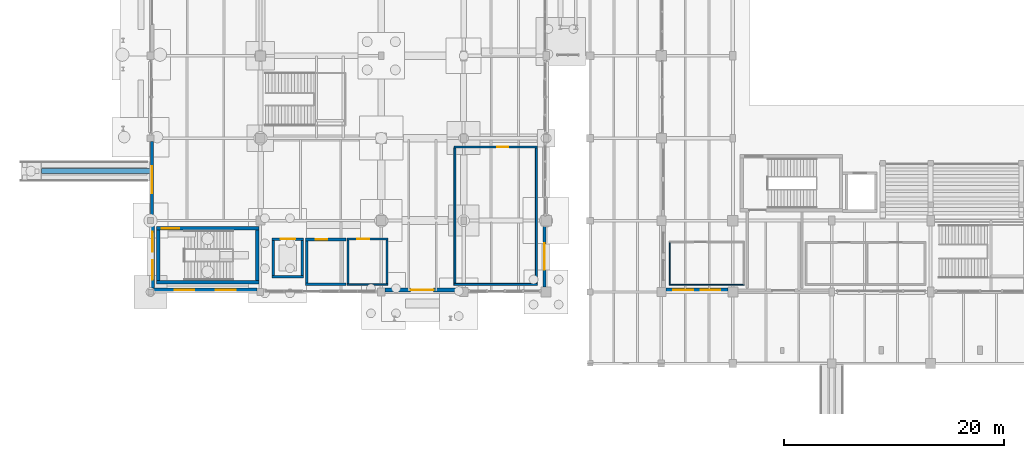
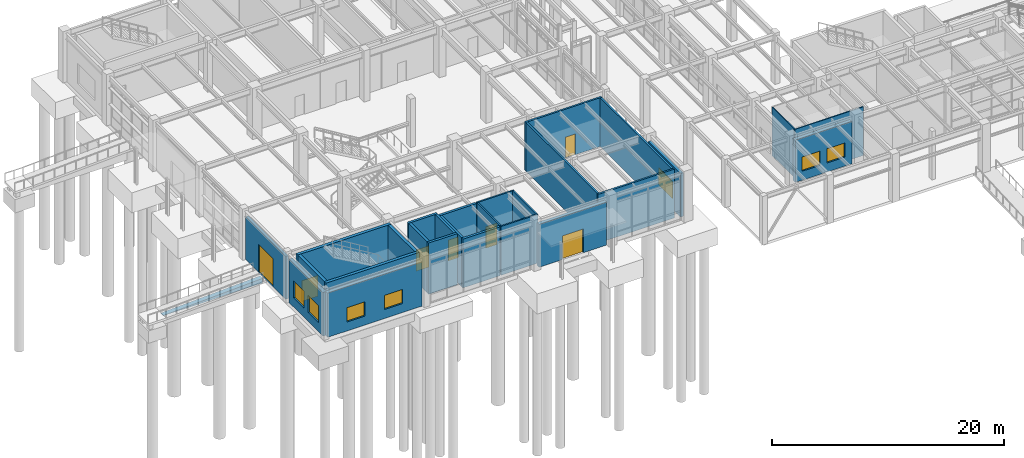
# One storey, part 171 of 203: 28 walls, 7 doors, 7 windows, 14 openings.
"""IFC4 building model written with IfcOpenShell, lengths in metres."""

from ifc_helpers import new_model, si_unit, direction, frame, frame_2d, origin, place, context, subcontext, project, spatial, polyline, rectangle, outline, extrude, material, layer, layer_set, type_object, element, fill, save


model = new_model("IFC4")

# Units and contexts
model_context = context("Model", 3, precision=1e-05, world=origin(), true_north=direction((0.0, 1.0)))
body_context = subcontext(model_context, "Body", "Model", "MODEL_VIEW")
ifc_project = project(units=[si_unit("LENGTHUNIT", "METRE"), si_unit("AREAUNIT", "SQUARE_METRE"), si_unit("VOLUMEUNIT", "CUBIC_METRE"), si_unit("PLANEANGLEUNIT", "RADIAN"), si_unit("MASSUNIT", "GRAM", prefix="KILO"), si_unit("THERMODYNAMICTEMPERATUREUNIT", "KELVIN"), si_unit("POWERUNIT", "WATT")], contexts=[model_context])

# Site, building, storey
site_placement = place(None, origin())
site = spatial("IfcSite", under=ifc_project, at=site_placement, CompositionType="ELEMENT")
building_placement = place(site_placement, origin())
building = spatial("IfcBuilding", under=site, at=building_placement, Name="Tepalcoro Natatorium and Aquatics Centre", CompositionType="ELEMENT")
storey_placement = place(building_placement, origin())
storey = spatial("IfcBuildingStorey", under=building, at=storey_placement, Name="L00", CompositionType="ELEMENT", Elevation=0.0)

# Wall, opening, door
ifc_material_1 = material(Name="Precast Concrete C45/55 (fc 45 MPa)", Category="concrete")
ifc_layer_1 = layer(ifc_material_1, 0.260009765625)
ifc_layer_set_1 = layer_set([ifc_layer_1], Name="Precast Concrete C45/55 (fc 45 MPa)")
wall_type_1 = type_object("IfcWallType", Name="WL_EXT_GABLE_260", PredefinedType="SOLIDWALL", material=ifc_layer_set_1)
wall_1_placement = place(storey_placement, frame((0.1298828125, 13.279052734375, 0.0), z_axis=(0.0, 0.0, 1.0), x_axis=(0.0, 1.0, 0.0)))
wall_1 = element("IfcWall", 1, at=wall_1_placement, inside=storey, type_object=wall_type_1, Name="V3 L00 W Volcanic Basalt Envelope Wall", PredefinedType="SOLIDWALL", context=body_context, shape_type="SweptSolid", body=[
    extrude(rectangle(XDim=6.9169921875, YDim=0.260009765625, at=frame_2d((3.45849609375, 0.0))), origin(), (0.0, 0.0, 1.0), 4.51806640625),
])
opening_1_placement = place(wall_1_placement, frame((2.2333984375, 0.0, 0.0)))
opening_1 = element("IfcOpeningElement", 2, at=opening_1_placement, cuts=wall_1, Name="Opening ED5026", PredefinedType="OPENING", context=body_context, shape_type="SweptSolid", body=[
    extrude(rectangle(XDim=2.449951171875, YDim=2.949951171875, at=frame_2d((1.22509765625, 1.47509765625))), frame((0.0, 0.14208984375, 0.0), z_axis=(0.0, -1.0, 0.0), x_axis=(1.0, 0.0, 0.0)), (0.0, 0.0, 1.0), 0.283935546875),
])
ifc_material_2 = material(Name="Bronze-Anodised Extruded Aluminium Alloy EN AW-6063 T6", Category="aluminium")
door_type_1 = type_object("IfcDoorType", Name="DR_245x300_FOYER", OperationType="NOTDEFINED", PredefinedType="DOOR", material=ifc_material_2)
door_1_placement = place(opening_1_placement, origin())
door_1 = element("IfcDoor", 3, at=door_1_placement, inside=storey, type_object=door_type_1, Name="Grand West Civic Entrance Portal", OperationType="DOUBLE_DOOR_SINGLE_SWING", OverallHeight=2.949951171875, OverallWidth=2.449951171875, PredefinedType="DOOR", context=body_context, shape_type="SweptSolid", body=[
    extrude(rectangle(XDim=2.449951171875, YDim=2.949951171875, at=frame_2d((1.22509765625, 1.47509765625))), frame((0.0, 0.02490234375, 0.0), z_axis=(0.0, -1.0, 0.0), x_axis=(1.0, 0.0, 0.0)), (0.0, 0.0, 1.0), 0.050048828125),
])
fill(opening_1, door_1)

# Wall, opening, window
ifc_layer_2 = layer(ifc_material_1, 0.284912109375)
ifc_layer_set_2 = layer_set([ifc_layer_2], Name="Precast Concrete C45/55 (fc 45 MPa)")
wall_type_2 = type_object("IfcWallType", Name="WL_EXT_INSUL_280", PredefinedType="SOLIDWALL", material=ifc_layer_set_2)
wall_2_placement = place(storey_placement, frame((35.857421875, 6.9541015625, 0.0), z_axis=(0.0, 0.0, 1.0), x_axis=(0.0, 1.0, 0.0)))
wall_2 = element("IfcWall", 4, at=wall_2_placement, inside=storey, type_object=wall_type_2, Name="V3 L00 E Volcanic Basalt Envelope Wall", PredefinedType="SOLIDWALL", context=body_context, shape_type="SweptSolid", body=[
    extrude(rectangle(XDim=5.56689453125, YDim=0.284912109375, at=frame_2d((2.783447265625, 0.0))), origin(), (0.0, 0.0, 1.0), 4.593994140625),
])
opening_2_placement = place(wall_2_placement, frame((1.58349609375, 0.0, 0.949951171875)))
opening_2 = element("IfcOpeningElement", 5, at=opening_2_placement, cuts=wall_2, Name="Opening W0059", PredefinedType="OPENING", context=body_context, shape_type="SweptSolid", body=[
    extrude(rectangle(XDim=2.39990234375, YDim=1.800048828125, at=frame_2d((1.199951171875, 0.89990234375))), frame((0.0, 0.154296875, 0.0), z_axis=(0.0, -1.0, 0.0), x_axis=(1.0, 0.0, 0.0)), (0.0, 0.0, 1.0), 0.308837890625),
])
ifc_material_3 = material(Name="Solar-Control Bronze Tempered Low-E Double Glazing", Category="glass")
window_type_1 = type_object("IfcWindowType", Name="WN_240x180", PartitioningType="SINGLE_PANEL", PredefinedType="WINDOW", material=ifc_material_3)
window_1_placement = place(opening_2_placement, origin())
window_1 = element("IfcWindow", 6, at=window_1_placement, inside=storey, type_object=window_type_1, Name="Exterior Thermal Window WN_240x180", OverallHeight=1.800048828125, OverallWidth=2.39990234375, PartitioningType="SINGLE_PANEL", PredefinedType="WINDOW", context=body_context, shape_type="SweptSolid", body=[
    extrude(rectangle(XDim=2.39990234375, YDim=1.800048828125, at=frame_2d((1.199951171875, 0.89990234375))), frame((0.0, 0.030029296875, 0.0), z_axis=(0.0, -1.0, 0.0), x_axis=(1.0, 0.0, 0.0)), (0.0, 0.0, 1.0), 0.06005859375),
])
fill(opening_2, window_1)

# Wall, openings, windows
ifc_material_4 = material(Name="Volcanic Recinto Basalt Ashlar Masonry", Category="masonry")
ifc_layer_3 = layer(ifc_material_4, 0.360107421875)
ifc_layer_set_3 = layer_set([ifc_layer_3], Name="Volcanic Recinto Basalt Ashlar Masonry")
wall_type_3 = type_object("IfcWallType", Name="WL_EXT_STONE_350", PredefinedType="SOLIDWALL", material=ifc_layer_set_3)
wall_3_placement = place(storey_placement, frame((46.904052734375, 6.679931640625, 0.0), z_axis=(0.0, 0.0, 1.0), x_axis=(1.0, 0.0, 0.0)))
wall_3 = element("IfcWall", 7, at=wall_3_placement, inside=storey, type_object=wall_type_3, Name="V1 L00 S Volcanic Basalt Envelope Wall", PredefinedType="SOLIDWALL", context=body_context, shape_type="SweptSolid", body=[
    extrude(rectangle(XDim=5.641845703125, YDim=0.360107421875, at=frame_2d((2.82080078125, 0.0))), origin(), (0.0, 0.0, 1.0), 4.462890625),
])
opening_3_placement = place(wall_3_placement, frame((0.6806640625, 0.0, 0.949951171875)))
opening_3 = element("IfcOpeningElement", 8, at=opening_3_placement, cuts=wall_3, Name="Opening W0001A", PredefinedType="OPENING", context=body_context, shape_type="SweptSolid", body=[
    extrude(rectangle(XDim=1.800048828125, YDim=1.5, at=frame_2d((0.89990234375, 0.75))), frame((0.0, 0.19189453125, 0.0), z_axis=(0.0, -1.0, 0.0), x_axis=(1.0, 0.0, 0.0)), (0.0, 0.0, 1.0), 0.384033203125),
])
opening_4_placement = place(wall_3_placement, frame((3.161376953125, 0.0, 0.949951171875)))
opening_4 = element("IfcOpeningElement", 9, at=opening_4_placement, cuts=wall_3, Name="Opening W0001B", PredefinedType="OPENING", context=body_context, shape_type="SweptSolid", body=[
    extrude(rectangle(XDim=1.800048828125, YDim=1.5, at=frame_2d((0.89990234375, 0.75))), frame((0.0, 0.19189453125, 0.0), z_axis=(0.0, -1.0, 0.0), x_axis=(1.0, 0.0, 0.0)), (0.0, 0.0, 1.0), 0.384033203125),
])
window_type_2 = type_object("IfcWindowType", Name="WN_180x150", PartitioningType="SINGLE_PANEL", PredefinedType="WINDOW", material=ifc_material_3)
window_2_placement = place(opening_3_placement, origin())
window_2 = element("IfcWindow", 10, at=window_2_placement, inside=storey, type_object=window_type_2, Name="Exterior Thermal Window WN_180x150", OverallHeight=1.5, OverallWidth=1.800048828125, PartitioningType="SINGLE_PANEL", PredefinedType="WINDOW", context=body_context, shape_type="SweptSolid", body=[
    extrude(rectangle(XDim=1.800048828125, YDim=1.5, at=frame_2d((0.89990234375, 0.75))), frame((0.0, 0.030029296875, 0.0), z_axis=(0.0, -1.0, 0.0), x_axis=(1.0, 0.0, 0.0)), (0.0, 0.0, 1.0), 0.06005859375),
])
fill(opening_3, window_2)
window_3_placement = place(opening_4_placement, origin())
window_3 = element("IfcWindow", 11, at=window_3_placement, inside=storey, type_object=window_type_2, Name="Exterior Thermal Window WN_180x150", OverallHeight=1.5, OverallWidth=1.800048828125, PartitioningType="SINGLE_PANEL", PredefinedType="WINDOW", context=body_context, shape_type="SweptSolid", body=[
    extrude(rectangle(XDim=1.800048828125, YDim=1.5, at=frame_2d((0.89990234375, 0.75))), frame((0.0, 0.030029296875, 0.0), z_axis=(0.0, -1.0, 0.0), x_axis=(1.0, 0.0, 0.0)), (0.0, 0.0, 1.0), 0.06005859375),
])
fill(opening_4, window_3)

wall_4_placement = place(storey_placement, frame((0.25390625, 6.679931640625, 0.0), z_axis=(0.0, 0.0, 1.0), x_axis=(1.0, 0.0, 0.0)))
wall_4 = element("IfcWall", 12, at=wall_4_placement, inside=storey, type_object=wall_type_3, Name="V3 L00 S Volcanic Basalt Envelope Wall", PredefinedType="SOLIDWALL", context=body_context, shape_type="SweptSolid", body=[
    extrude(rectangle(XDim=9.442138671875, YDim=0.360107421875, at=frame_2d((4.72119140625, 0.0))), origin(), (0.0, 0.0, 1.0), 4.669921875),
])
opening_5_placement = place(wall_4_placement, frame((1.947265625, 0.0, 0.949951171875)))
opening_5 = element("IfcOpeningElement", 13, at=opening_5_placement, cuts=wall_4, Name="Opening W0054A", PredefinedType="OPENING", context=body_context, shape_type="SweptSolid", body=[
    extrude(rectangle(XDim=1.800048828125, YDim=1.5, at=frame_2d((0.89990234375, 0.75))), frame((0.0, 0.19189453125, 0.0), z_axis=(0.0, -1.0, 0.0), x_axis=(1.0, 0.0, 0.0)), (0.0, 0.0, 1.0), 0.384033203125),
])
opening_6_placement = place(wall_4_placement, frame((5.694580078125, 0.0, 0.949951171875)))
opening_6 = element("IfcOpeningElement", 14, at=opening_6_placement, cuts=wall_4, Name="Opening W0054B", PredefinedType="OPENING", context=body_context, shape_type="SweptSolid", body=[
    extrude(rectangle(XDim=1.800048828125, YDim=1.5, at=frame_2d((0.89990234375, 0.75))), frame((0.0, 0.19189453125, 0.0), z_axis=(0.0, -1.0, 0.0), x_axis=(1.0, 0.0, 0.0)), (0.0, 0.0, 1.0), 0.384033203125),
])
window_4_placement = place(opening_5_placement, origin())
window_4 = element("IfcWindow", 15, at=window_4_placement, inside=storey, type_object=window_type_2, Name="Exterior Thermal Window WN_180x150", OverallHeight=1.5, OverallWidth=1.800048828125, PartitioningType="SINGLE_PANEL", PredefinedType="WINDOW", context=body_context, shape_type="SweptSolid", body=[
    extrude(rectangle(XDim=1.800048828125, YDim=1.5, at=frame_2d((0.89990234375, 0.75))), frame((0.0, 0.030029296875, 0.0), z_axis=(0.0, -1.0, 0.0), x_axis=(1.0, 0.0, 0.0)), (0.0, 0.0, 1.0), 0.06005859375),
])
fill(opening_5, window_4)
window_5_placement = place(opening_6_placement, origin())
window_5 = element("IfcWindow", 16, at=window_5_placement, inside=storey, type_object=window_type_2, Name="Exterior Thermal Window WN_180x150", OverallHeight=1.5, OverallWidth=1.800048828125, PartitioningType="SINGLE_PANEL", PredefinedType="WINDOW", context=body_context, shape_type="SweptSolid", body=[
    extrude(rectangle(XDim=1.800048828125, YDim=1.5, at=frame_2d((0.89990234375, 0.75))), frame((0.0, 0.030029296875, 0.0), z_axis=(0.0, -1.0, 0.0), x_axis=(1.0, 0.0, 0.0)), (0.0, 0.0, 1.0), 0.06005859375),
])
fill(opening_6, window_5)

# Wall, opening, door
wall_5_placement = place(storey_placement, frame((21.35400390625, 6.679931640625, 0.0), z_axis=(0.0, 0.0, 1.0), x_axis=(1.0, 0.0, 0.0)))
wall_5 = element("IfcWall", 17, at=wall_5_placement, inside=storey, type_object=wall_type_3, Name="V3 L00 S Volcanic Basalt Envelope Wall", PredefinedType="SOLIDWALL", context=body_context, shape_type="SweptSolid", body=[
    extrude(rectangle(XDim=6.741943359375, YDim=0.360107421875, at=frame_2d((3.37109375, 0.0))), origin(), (0.0, 0.0, 1.0), 4.51806640625),
])
opening_7_placement = place(wall_5_placement, frame((2.321044921875, 0.0, 0.0)))
opening_7 = element("IfcOpeningElement", 18, at=opening_7_placement, cuts=wall_5, Name="Opening ED5025", PredefinedType="OPENING", context=body_context, shape_type="SweptSolid", body=[
    extrude(rectangle(XDim=2.10009765625, YDim=2.5, at=frame_2d((1.050048828125, 1.25))), frame((0.0, 0.19189453125, 0.0), z_axis=(0.0, -1.0, 0.0), x_axis=(1.0, 0.0, 0.0)), (0.0, 0.0, 1.0), 0.384033203125),
])
door_type_2 = type_object("IfcDoorType", Name="DR_210x250_EXT", OperationType="NOTDEFINED", PredefinedType="DOOR", material=ifc_material_2)
door_2_placement = place(opening_7_placement, frame((2.10009765625, 0.0, 0.0), z_axis=(0.0, 0.0, 1.0), x_axis=(-1.0, 0.0, 0.0)))
door_2 = element("IfcDoor", 19, at=door_2_placement, inside=storey, type_object=door_type_2, Name="V3 South Plaza Portal", OperationType="DOUBLE_DOOR_SINGLE_SWING", OverallHeight=2.5, OverallWidth=2.10009765625, PredefinedType="DOOR", context=body_context, shape_type="SweptSolid", body=[
    extrude(rectangle(XDim=2.10009765625, YDim=2.5, at=frame_2d((1.050048828125, 1.25))), frame((0.0, 0.02490234375, 0.0), z_axis=(0.0, -1.0, 0.0), x_axis=(1.0, 0.0, 0.0)), (0.0, 0.0, 1.0), 0.050048828125),
])
fill(opening_7, door_2)

# Wall, openings, windows
wall_6_placement = place(storey_placement, frame((0.179931640625, 6.864013671875, 0.0), z_axis=(0.0, 0.0, 1.0), x_axis=(0.0, 1.0, 0.0)))
wall_6 = element("IfcWall", 20, at=wall_6_placement, inside=storey, type_object=wall_type_3, Name="V3 L00 W Volcanic Basalt Envelope Wall", PredefinedType="SOLIDWALL", context=body_context, shape_type="SweptSolid", body=[
    extrude(rectangle(XDim=5.85693359375, YDim=0.360107421875, at=frame_2d((2.928466796875, 0.0))), origin(), (0.0, 0.0, 1.0), 4.593994140625),
])
opening_8_placement = place(wall_6_placement, frame((0.752197265625, 0.0, 0.949951171875)))
opening_8 = element("IfcOpeningElement", 21, at=opening_8_placement, cuts=wall_6, Name="Opening W0057A", PredefinedType="OPENING", context=body_context, shape_type="SweptSolid", body=[
    extrude(rectangle(XDim=1.800048828125, YDim=1.800048828125, at=frame_2d((0.89990234375, 0.89990234375))), frame((0.0, 0.19189453125, 0.0), z_axis=(0.0, -1.0, 0.0), x_axis=(1.0, 0.0, 0.0)), (0.0, 0.0, 1.0), 0.384033203125),
])
opening_9_placement = place(wall_6_placement, frame((3.3046875, 0.0, 0.949951171875)))
opening_9 = element("IfcOpeningElement", 22, at=opening_9_placement, cuts=wall_6, Name="Opening W0057B", PredefinedType="OPENING", context=body_context, shape_type="SweptSolid", body=[
    extrude(rectangle(XDim=1.800048828125, YDim=1.800048828125, at=frame_2d((0.89990234375, 0.89990234375))), frame((0.0, 0.19189453125, 0.0), z_axis=(0.0, -1.0, 0.0), x_axis=(1.0, 0.0, 0.0)), (0.0, 0.0, 1.0), 0.384033203125),
])
window_type_3 = type_object("IfcWindowType", Name="WN_180x180", PartitioningType="SINGLE_PANEL", PredefinedType="WINDOW", material=ifc_material_3)
window_6_placement = place(opening_8_placement, origin())
window_6 = element("IfcWindow", 23, at=window_6_placement, inside=storey, type_object=window_type_3, Name="Exterior Thermal Window WN_180x180", OverallHeight=1.800048828125, OverallWidth=1.800048828125, PartitioningType="SINGLE_PANEL", PredefinedType="WINDOW", context=body_context, shape_type="SweptSolid", body=[
    extrude(rectangle(XDim=1.800048828125, YDim=1.800048828125, at=frame_2d((0.89990234375, 0.89990234375))), frame((0.0, 0.030029296875, 0.0), z_axis=(0.0, -1.0, 0.0), x_axis=(1.0, 0.0, 0.0)), (0.0, 0.0, 1.0), 0.06005859375),
])
fill(opening_8, window_6)
window_7_placement = place(opening_9_placement, origin())
window_7 = element("IfcWindow", 24, at=window_7_placement, inside=storey, type_object=window_type_3, Name="Exterior Thermal Window WN_180x180", OverallHeight=1.800048828125, OverallWidth=1.800048828125, PartitioningType="SINGLE_PANEL", PredefinedType="WINDOW", context=body_context, shape_type="SweptSolid", body=[
    extrude(rectangle(XDim=1.800048828125, YDim=1.800048828125, at=frame_2d((0.89990234375, 0.89990234375))), frame((0.0, 0.030029296875, 0.0), z_axis=(0.0, -1.0, 0.0), x_axis=(1.0, 0.0, 0.0)), (0.0, 0.0, 1.0), 0.06005859375),
])
fill(opening_9, window_7)

# Walls
ifc_material_5 = material(Name="Moisture-Resistant Acoustic Gypsum Drywall on Cold-Formed Metal Studs")
ifc_layer_4 = layer(ifc_material_5, 0.10009765625)
ifc_layer_set_4 = layer_set([ifc_layer_4], Name="Moisture-Resistant Acoustic Gypsum Drywall on Cold-Formed Metal Studs")
wall_type_4 = type_object("IfcWallType", Name="WL_PART_100", PredefinedType="PARTITIONING", material=ifc_layer_set_4)
wall_7_placement = place(storey_placement, frame((47.199951171875, 7.14990234375, 0.0), z_axis=(0.0, 0.0, 1.0), x_axis=(1.0, 0.0, 0.0)))
element("IfcWall", 25, at=wall_7_placement, inside=storey, type_object=wall_type_4, Name="World Aquatics Swimmer Call Room & Ready Suite Partition S", PredefinedType="PARTITIONING", context=body_context, shape_type="SweptSolid", body=[
    extrude(rectangle(XDim=6.85009765625, YDim=0.10009765625, at=frame_2d((3.425048828125, 0.0))), origin(), (0.0, 0.0, 1.0), 5.125),
])
wall_8_placement = place(storey_placement, frame((47.25, 7.199951171875, 0.0), z_axis=(0.0, 0.0, 1.0), x_axis=(0.0, 1.0, 0.0)))
element("IfcWall", 26, at=wall_8_placement, inside=storey, type_object=wall_type_4, Name="World Aquatics Swimmer Call Room & Ready Suite Partition W", PredefinedType="PARTITIONING", context=body_context, shape_type="SweptSolid", body=[
    extrude(rectangle(XDim=3.800048828125, YDim=0.10009765625, at=frame_2d((1.89990234375, 0.0))), origin(), (0.0, 0.0, 1.0), 5.125),
])
ifc_layer_5 = layer(ifc_material_5, 0.14990234375)
ifc_layer_set_5 = layer_set([ifc_layer_5], Name="Moisture-Resistant Acoustic Gypsum Drywall on Cold-Formed Metal Studs")
wall_type_5 = type_object("IfcWallType", Name="WL_PART_150_AC", PredefinedType="PARTITIONING", material=ifc_layer_set_5)
wall_9_placement = place(storey_placement, frame((17.89990234375, 7.175048828125, 0.0), z_axis=(0.0, 0.0, 1.0), x_axis=(1.0, 0.0, 0.0)))
element("IfcWall", 27, at=wall_9_placement, inside=storey, type_object=wall_type_5, Name="Civic Box Office, Accreditation & Reception Partition S", PredefinedType="PARTITIONING", context=body_context, shape_type="SweptSolid", body=[
    extrude(rectangle(XDim=3.7001953125, YDim=0.14990234375, at=frame_2d((1.85009765625, 0.0))), origin(), (0.0, 0.0, 1.0), 5.14501953125),
])

# Wall, opening, door
wall_10_placement = place(storey_placement, frame((17.89990234375, 11.324951171875, 0.0), z_axis=(0.0, 0.0, 1.0), x_axis=(1.0, 0.0, 0.0)))
wall_10 = element("IfcWall", 28, at=wall_10_placement, inside=storey, type_object=wall_type_5, Name="Civic Box Office, Accreditation & Reception Partition N", PredefinedType="PARTITIONING", context=body_context, shape_type="SweptSolid", body=[
    extrude(rectangle(XDim=3.7001953125, YDim=0.14990234375, at=frame_2d((1.85009765625, 0.0))), origin(), (0.0, 0.0, 1.0), 5.14501953125),
])
opening_10_placement = place(wall_10_placement, frame((0.925048828125, 0.0, 0.0)))
opening_10 = element("IfcOpeningElement", 29, at=opening_10_placement, cuts=wall_10, Name="Opening D0091", PredefinedType="OPENING", context=body_context, shape_type="SweptSolid", body=[
    extrude(rectangle(XDim=1.10009765625, YDim=2.25, at=frame_2d((0.550048828125, 1.125))), frame((0.0, 0.0869140625, 0.0), z_axis=(0.0, -1.0, 0.0), x_axis=(1.0, 0.0, 0.0)), (0.0, 0.0, 1.0), 0.173828125),
])
ifc_material_6 = material(Name="Solid-Core Moisture-Sealed Oak Timber Leaf in Aluminium Frame", Category="wood")
door_type_3 = type_object("IfcDoorType", Name="DR_110x225", OperationType="NOTDEFINED", PredefinedType="DOOR", material=ifc_material_6)
door_3_placement = place(opening_10_placement, frame((1.10009765625, 0.0, 0.0), z_axis=(0.0, 0.0, 1.0), x_axis=(-1.0, 0.0, 0.0)))
door_3 = element("IfcDoor", 30, at=door_3_placement, inside=storey, type_object=door_type_3, Name="Civic Box Office, Accreditation & Reception Door", OperationType="SINGLE_SWING_LEFT", OverallHeight=2.25, OverallWidth=1.10009765625, PredefinedType="DOOR", context=body_context, shape_type="SweptSolid", body=[
    extrude(rectangle(XDim=1.10009765625, YDim=2.25, at=frame_2d((0.550048828125, 1.125))), frame((0.0, 0.02490234375, 0.0), z_axis=(0.0, -1.0, 0.0), x_axis=(1.0, 0.0, 0.0)), (0.0, 0.0, 1.0), 0.050048828125),
])
fill(opening_10, door_3)

# Walls
for number, where, z_axis, x_axis, name in (
    (31, (21.52490234375, 7.25, 0.0), (0.0, 0.0, 1.0), (0.0, 1.0, 0.0), "Civic Box Office, Accreditation & Reception Partition E"),
    (32, (17.97509765625, 7.25, 0.0), (0.0, 0.0, 1.0), (0.0, 1.0, 0.0), "Civic Box Office, Accreditation & Reception Partition W"),
):
    element("IfcWall", number, at=place(storey_placement, frame(where, z_axis=z_axis, x_axis=x_axis)), inside=storey, type_object=wall_type_5, Name=name, PredefinedType="PARTITIONING", context=body_context, shape_type="SweptSolid", body=[
        extrude(rectangle(XDim=4.0, YDim=0.14990234375, at=frame_2d((2.0, 0.0))), origin(), (0.0, 0.0, 1.0), 5.14501953125),
    ])
ifc_layer_6 = layer(ifc_material_5, 0.179931640625)
ifc_layer_set_6 = layer_set([ifc_layer_6], Name="Moisture-Resistant Acoustic Gypsum Drywall on Cold-Formed Metal Studs")
wall_type_6 = type_object("IfcWallType", Name="WL_PART_180_AC", PredefinedType="PARTITIONING", material=ifc_layer_set_6)
wall_11_placement = place(storey_placement, frame((27.60009765625, 7.18994140625, 0.0), z_axis=(0.0, 0.0, 1.0), x_axis=(1.0, 0.0, 0.0)))
element("IfcWall", 33, at=wall_11_placement, inside=storey, type_object=wall_type_6, Name="Aquatics Retail Pro-Shop Partition S", PredefinedType="PARTITIONING", context=body_context, shape_type="SweptSolid", body=[
    extrude(rectangle(XDim=7.599853515625, YDim=0.179931640625, at=frame_2d((3.7998046875, 0.0))), origin(), (0.0, 0.0, 1.0), 5.14501953125),
])

# Wall, opening, door
wall_12_placement = place(storey_placement, frame((27.60009765625, 19.7099609375, 0.0), z_axis=(0.0, 0.0, 1.0), x_axis=(1.0, 0.0, 0.0)))
wall_12 = element("IfcWall", 34, at=wall_12_placement, inside=storey, type_object=wall_type_6, Name="Aquatics Retail Pro-Shop Partition N", PredefinedType="PARTITIONING", context=body_context, shape_type="SweptSolid", body=[
    extrude(rectangle(XDim=7.599853515625, YDim=0.179931640625, at=frame_2d((3.7998046875, 0.0))), origin(), (0.0, 0.0, 1.0), 5.14501953125),
])
opening_11_placement = place(wall_12_placement, frame((3.9599609375, 0.0, 0.0)))
opening_11 = element("IfcOpeningElement", 35, at=opening_11_placement, cuts=wall_12, Name="Opening D0092", PredefinedType="OPENING", context=body_context, shape_type="SweptSolid", body=[
    extrude(rectangle(XDim=1.0, YDim=2.199951171875, at=frame_2d((0.5, 1.10009765625))), frame((0.0, 0.10205078125, 0.0), z_axis=(0.0, -1.0, 0.0), x_axis=(1.0, 0.0, 0.0)), (0.0, 0.0, 1.0), 0.203857421875),
])
ifc_material_7 = material(Name="Galvanised Steel Insulated Acoustic Fire Door Assembly", Category="steel")
door_type_4 = type_object("IfcDoorType", Name="DR_100x220_FD60", OperationType="NOTDEFINED", PredefinedType="DOOR", material=ifc_material_7)
door_4_placement = place(opening_11_placement, frame((1.0, 0.0, 0.0), z_axis=(0.0, 0.0, 1.0), x_axis=(-1.0, 0.0, 0.0)))
door_4 = element("IfcDoor", 36, at=door_4_placement, inside=storey, type_object=door_type_4, Name="Aquatics Retail Pro-Shop Door", OperationType="SINGLE_SWING_RIGHT", OverallHeight=2.199951171875, OverallWidth=1.0, PredefinedType="DOOR", context=body_context, shape_type="SweptSolid", body=[
    extrude(rectangle(XDim=1.0, YDim=2.199951171875, at=frame_2d((0.5, 1.10009765625))), frame((0.0, 0.02490234375, 0.0), z_axis=(0.0, -1.0, 0.0), x_axis=(1.0, 0.0, 0.0)), (0.0, 0.0, 1.0), 0.050048828125),
])
fill(opening_11, door_4)

# Walls
for number, where, z_axis, x_axis, name in (
    (37, (35.110107421875, 7.280029296875, 0.0), (0.0, 0.0, 1.0), (0.0, 1.0, 0.0), "Aquatics Retail Pro-Shop Partition E"),
    (38, (27.68994140625, 7.280029296875, 0.0), (0.0, 0.0, 1.0), (0.0, 1.0, 0.0), "Aquatics Retail Pro-Shop Partition W"),
):
    element("IfcWall", number, at=place(storey_placement, frame(where, z_axis=z_axis, x_axis=x_axis)), inside=storey, type_object=wall_type_6, Name=name, PredefinedType="PARTITIONING", context=body_context, shape_type="SweptSolid", body=[
        extrude(rectangle(XDim=12.340087890625, YDim=0.179931640625, at=frame_2d((6.169921875, 0.0))), origin(), (0.0, 0.0, 1.0), 5.14501953125),
    ])
ifc_material_8 = material(Name="Concrete C40/50 (fc 40 MPa)", Category="concrete")
ifc_layer_7 = layer(ifc_material_8, 0.449951171875)
ifc_layer_set_7 = layer_set([ifc_layer_7], Name="Concrete C40/50 (fc 40 MPa)")
wall_type_7 = type_object("IfcWallType", Name="WL_RET_450", PredefinedType="USERDEFINED", material=ifc_layer_set_7)
wall_13_placement = place(storey_placement, frame((-9.919921875, 17.5, -0.699951171875), z_axis=(0.0, 0.0, 1.0), x_axis=(1.0, 0.0, 0.0)))
element("IfcWall", 39, at=wall_13_placement, inside=storey, type_object=wall_type_7, Name="RMP01 Ramp Supporting Stem Wall", ObjectType="RETAINING WALL", PredefinedType="USERDEFINED", context=body_context, shape_type="SweptSolid", body=[
    extrude(outline(polyline([(0.0, 0.0), (9.9150390625, 0.0), (9.9150390625, 0.483154296875), (0.0, 0.025634765625), (0.0, 0.0)])), frame((0.0, 0.22509765625, 0.0), z_axis=(0.0, -1.0, 0.0), x_axis=(1.0, 0.0, 0.0)), (0.0, 0.0, 1.0), 0.449951171875),
])
ifc_layer_8 = layer(ifc_material_8, 0.239990234375)
ifc_layer_set_8 = layer_set([ifc_layer_8], Name="Concrete C40/50 (fc 40 MPa)")
wall_type_8 = type_object("IfcWallType", Name="WL_SHAFT_240", PredefinedType="SOLIDWALL", material=ifc_layer_set_8)
wall_14_placement = place(storey_placement, frame((11.06005859375, 7.8798828125, 0.0), z_axis=(0.0, 0.0, 1.0), x_axis=(1.0, 0.0, 0.0)))
element("IfcWall", 40, at=wall_14_placement, inside=storey, type_object=wall_type_8, Name="LF03 Lift Shaft Wall S L00", PredefinedType="SOLIDWALL", context=body_context, shape_type="SweptSolid", body=[
    extrude(rectangle(XDim=2.8798828125, YDim=0.239990234375, at=frame_2d((1.43994140625, 0.0))), origin(), (0.0, 0.0, 1.0), 5.39990234375),
])

# Wall, opening, door
wall_15_placement = place(storey_placement, frame((11.06005859375, 11.320068359375, 0.0), z_axis=(0.0, 0.0, 1.0), x_axis=(1.0, 0.0, 0.0)))
wall_15 = element("IfcWall", 41, at=wall_15_placement, inside=storey, type_object=wall_type_8, Name="LF03 Lift Shaft Wall N L00", PredefinedType="SOLIDWALL", context=body_context, shape_type="SweptSolid", body=[
    extrude(rectangle(XDim=2.8798828125, YDim=0.239990234375, at=frame_2d((1.43994140625, 0.0))), origin(), (0.0, 0.0, 1.0), 5.39990234375),
])
opening_12_placement = place(wall_15_placement, frame((0.7900390625, 0.0, 0.0)))
opening_12 = element("IfcOpeningElement", 42, at=opening_12_placement, cuts=wall_15, Name="Opening LD-LF03-L00", PredefinedType="OPENING", context=body_context, shape_type="SweptSolid", body=[
    extrude(rectangle(XDim=1.300048828125, YDim=2.25, at=frame_2d((0.64990234375, 1.125))), frame((0.0, 0.1318359375, 0.0), z_axis=(0.0, -1.0, 0.0), x_axis=(1.0, 0.0, 0.0)), (0.0, 0.0, 1.0), 0.263916015625),
])
ifc_material_9 = material(Name="Marine-Grade Brushed Stainless Steel AISI 316L", Category="steel")
door_type_5 = type_object("IfcDoorType", Name="DR_130x225_LIFT", OperationType="NOTDEFINED", PredefinedType="USERDEFINED", material=ifc_material_9)
door_5_placement = place(opening_12_placement, origin())
door_5 = element("IfcDoor", 43, at=door_5_placement, inside=storey, type_object=door_type_5, Name="LF03 Lift Landing Sliding Door (L00)", ObjectType="SLIDING LANDING DOOR", OperationType="SLIDING_TO_LEFT", OverallHeight=2.25, OverallWidth=1.300048828125, PredefinedType="USERDEFINED", context=body_context, shape_type="SweptSolid", body=[
    extrude(rectangle(XDim=1.300048828125, YDim=2.25, at=frame_2d((0.64990234375, 1.125))), frame((0.0, 0.02490234375, 0.0), z_axis=(0.0, -1.0, 0.0), x_axis=(1.0, 0.0, 0.0)), (0.0, 0.0, 1.0), 0.050048828125),
])
fill(opening_12, door_5)

# Walls
for number, where, z_axis, x_axis, name in (
    (44, (11.179931640625, 8.0, 0.0), (0.0, 0.0, 1.0), (0.0, 1.0, 0.0), "LF03 Lift Shaft Wall W L00"),
    (45, (13.820068359375, 8.0, 0.0), (0.0, 0.0, 1.0), (0.0, 1.0, 0.0), "LF03 Lift Shaft Wall E L00"),
):
    element("IfcWall", number, at=place(storey_placement, frame(where, z_axis=z_axis, x_axis=x_axis)), inside=storey, type_object=wall_type_8, Name=name, PredefinedType="SOLIDWALL", context=body_context, shape_type="SweptSolid", body=[
        extrude(rectangle(XDim=3.199951171875, YDim=0.239990234375, at=frame_2d((1.60009765625, 0.0))), origin(), (0.0, 0.0, 1.0), 5.39990234375),
    ])
ifc_layer_9 = layer(ifc_material_8, 0.300048828125)
ifc_layer_set_9 = layer_set([ifc_layer_9], Name="Concrete C40/50 (fc 40 MPa)")
wall_type_9 = type_object("IfcWallType", Name="WL_SHEAR_300", PredefinedType="SHEAR", material=ifc_layer_set_9)
wall_16_placement = place(storey_placement, frame((0.550048828125, 7.39990234375, 0.0), z_axis=(0.0, 0.0, 1.0), x_axis=(1.0, 0.0, 0.0)))
element("IfcWall", 46, at=wall_16_placement, inside=storey, type_object=wall_type_9, Name="ST05 Core Shear Wall S L00", PredefinedType="SHEAR", context=body_context, shape_type="SweptSolid", body=[
    extrude(rectangle(XDim=9.300048828125, YDim=0.300048828125, at=frame_2d((4.64990234375, 0.0))), origin(), (0.0, 0.0, 1.0), 5.159912109375),
])

# Wall, opening, door
wall_17_placement = place(storey_placement, frame((0.550048828125, 12.300048828125, 0.0), z_axis=(0.0, 0.0, 1.0), x_axis=(1.0, 0.0, 0.0)))
wall_17 = element("IfcWall", 47, at=wall_17_placement, inside=storey, type_object=wall_type_9, Name="ST05 Core Shear Wall N L00", PredefinedType="SHEAR", context=body_context, shape_type="SweptSolid", body=[
    extrude(rectangle(XDim=9.300048828125, YDim=0.300048828125, at=frame_2d((4.64990234375, 0.0))), origin(), (0.0, 0.0, 1.0), 5.159912109375),
])
opening_13_placement = place(wall_17_placement, frame((0.47998046875, 0.0, 0.0)))
opening_13 = element("IfcOpeningElement", 48, at=opening_13_placement, cuts=wall_17, Name="Opening D0021", PredefinedType="OPENING", context=body_context, shape_type="SweptSolid", body=[
    extrude(rectangle(XDim=1.60009765625, YDim=2.199951171875, at=frame_2d((0.800048828125, 1.10009765625))), frame((0.0, 0.162109375, 0.0), z_axis=(0.0, -1.0, 0.0), x_axis=(1.0, 0.0, 0.0)), (0.0, 0.0, 1.0), 0.323974609375),
])
door_type_6 = type_object("IfcDoorType", Name="DR_160x220_FD90", OperationType="NOTDEFINED", PredefinedType="DOOR", material=ifc_material_7)
door_6_placement = place(opening_13_placement, origin())
door_6 = element("IfcDoor", 49, at=door_6_placement, inside=storey, type_object=door_type_6, Name="ST05 Fire Stair Door (L00)", OperationType="DOUBLE_DOOR_SINGLE_SWING", OverallHeight=2.199951171875, OverallWidth=1.60009765625, PredefinedType="DOOR", context=body_context, shape_type="SweptSolid", body=[
    extrude(rectangle(XDim=1.60009765625, YDim=2.199951171875, at=frame_2d((0.800048828125, 1.10009765625))), frame((0.0, 0.02490234375, 0.0), z_axis=(0.0, -1.0, 0.0), x_axis=(1.0, 0.0, 0.0)), (0.0, 0.0, 1.0), 0.050048828125),
])
fill(opening_13, door_6)

# Walls
for number, where, z_axis, x_axis, name in (
    (50, (0.699951171875, 7.550048828125, 0.0), (0.0, 0.0, 1.0), (0.0, 1.0, 0.0), "ST05 Core Shear Wall W L00"),
    (51, (9.699951171875, 7.550048828125, 0.0), (0.0, 0.0, 1.0), (0.0, 1.0, 0.0), "ST05 Core Shear Wall E L00"),
):
    element("IfcWall", number, at=place(storey_placement, frame(where, z_axis=z_axis, x_axis=x_axis)), inside=storey, type_object=wall_type_9, Name=name, PredefinedType="SHEAR", context=body_context, shape_type="SweptSolid", body=[
        extrude(rectangle(XDim=4.599853515625, YDim=0.300048828125, at=frame_2d((2.2998046875, 0.0))), origin(), (0.0, 0.0, 1.0), 5.159912109375),
    ])
ifc_material_10 = material(Name="Concrete C35/45 (fc 35 MPa)", Category="concrete")
ifc_layer_10 = layer(ifc_material_10, 0.2451171875)
ifc_layer_set_10 = layer_set([ifc_layer_10], Name="Concrete C35/45 (fc 35 MPa)")
wall_type_10 = type_object("IfcWallType", Name="WL_SOLID_240_FR120", PredefinedType="SOLIDWALL", material=ifc_layer_set_10)
wall_18_placement = place(storey_placement, frame((14.10009765625, 7.222412109375, 0.0), z_axis=(0.0, 0.0, 1.0), x_axis=(1.0, 0.0, 0.0)))
element("IfcWall", 52, at=wall_18_placement, inside=storey, type_object=wall_type_10, Name="Fire Command Room Partition S", PredefinedType="SOLIDWALL", context=body_context, shape_type="SweptSolid", body=[
    extrude(rectangle(XDim=3.699951171875, YDim=0.2451171875, at=frame_2d((1.85009765625, 0.0))), origin(), (0.0, 0.0, 1.0), 5.14501953125),
])

# Wall, opening, door
wall_19_placement = place(storey_placement, frame((14.10009765625, 11.277587890625, 0.0), z_axis=(0.0, 0.0, 1.0), x_axis=(1.0, 0.0, 0.0)))
wall_19 = element("IfcWall", 53, at=wall_19_placement, inside=storey, type_object=wall_type_10, Name="Fire Command Room Partition N", PredefinedType="SOLIDWALL", context=body_context, shape_type="SweptSolid", body=[
    extrude(rectangle(XDim=3.699951171875, YDim=0.2451171875, at=frame_2d((1.85009765625, 0.0))), origin(), (0.0, 0.0, 1.0), 5.14501953125),
])
opening_14_placement = place(wall_19_placement, frame((0.945068359375, 0.0, 0.0)))
opening_14 = element("IfcOpeningElement", 54, at=opening_14_placement, cuts=wall_19, Name="Opening D0090", PredefinedType="OPENING", context=body_context, shape_type="SweptSolid", body=[
    extrude(rectangle(XDim=1.02001953125, YDim=2.199951171875, at=frame_2d((0.510009765625, 1.10009765625))), frame((0.0, 0.134521484375, 0.0), z_axis=(0.0, -1.0, 0.0), x_axis=(1.0, 0.0, 0.0)), (0.0, 0.0, 1.0), 0.26904296875),
])
door_type_7 = type_object("IfcDoorType", Name="DR_100x220_FD90", OperationType="NOTDEFINED", PredefinedType="DOOR", material=ifc_material_7)
door_7_placement = place(opening_14_placement, frame((1.02001953125, 0.0, 0.0), z_axis=(0.0, 0.0, 1.0), x_axis=(-1.0, 0.0, 0.0)))
door_7 = element("IfcDoor", 55, at=door_7_placement, inside=storey, type_object=door_type_7, Name="Fire Command Room Door", OperationType="SINGLE_SWING_RIGHT", OverallHeight=2.199951171875, OverallWidth=1.02001953125, PredefinedType="DOOR", context=body_context, shape_type="SweptSolid", body=[
    extrude(rectangle(XDim=1.02001953125, YDim=2.199951171875, at=frame_2d((0.510009765625, 1.10009765625))), frame((0.0, 0.02490234375, 0.0), z_axis=(0.0, -1.0, 0.0), x_axis=(1.0, 0.0, 0.0)), (0.0, 0.0, 1.0), 0.050048828125),
])
fill(opening_14, door_7)

# Wall
wall_20_placement = place(storey_placement, frame((14.222412109375, 7.344970703125, 0.0), z_axis=(0.0, 0.0, 1.0), x_axis=(0.0, 1.0, 0.0)))
element("IfcWall", 56, at=wall_20_placement, inside=storey, type_object=wall_type_10, Name="Fire Command Room Partition W", PredefinedType="SOLIDWALL", context=body_context, shape_type="SweptSolid", body=[
    extrude(rectangle(XDim=3.81005859375, YDim=0.2451171875, at=frame_2d((1.905029296875, 0.0))), origin(), (0.0, 0.0, 1.0), 5.14501953125),
])

save(model, "model.ifc")
